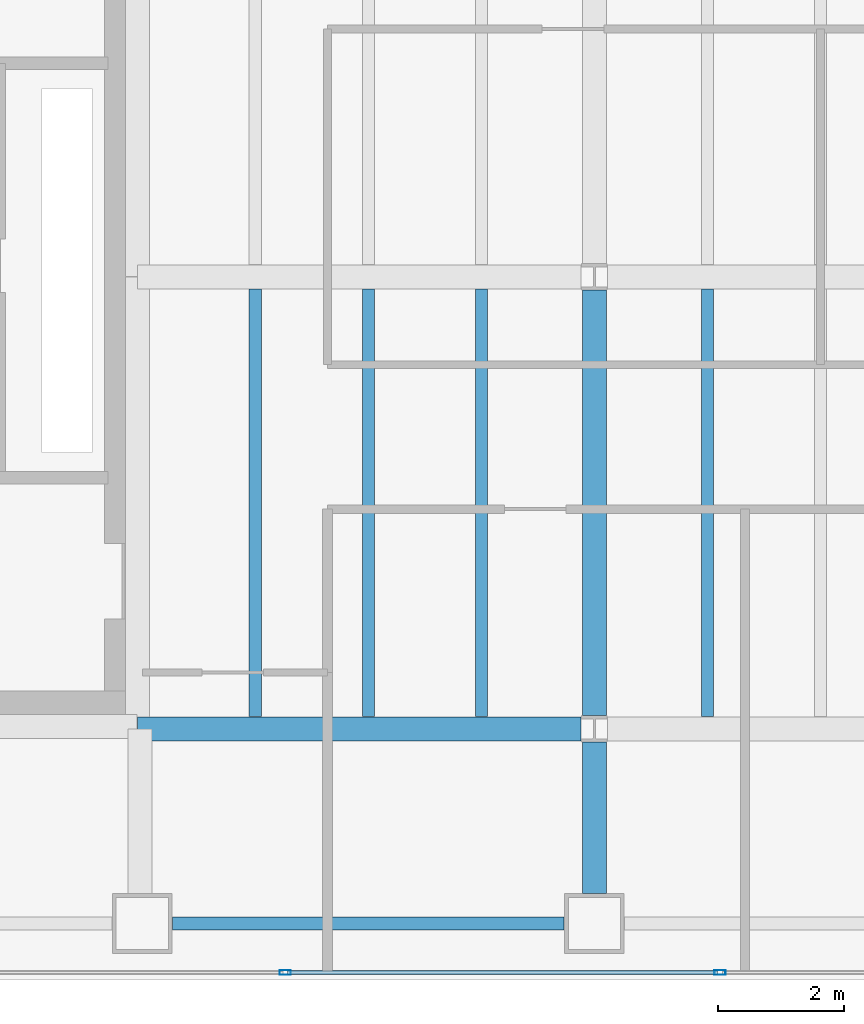
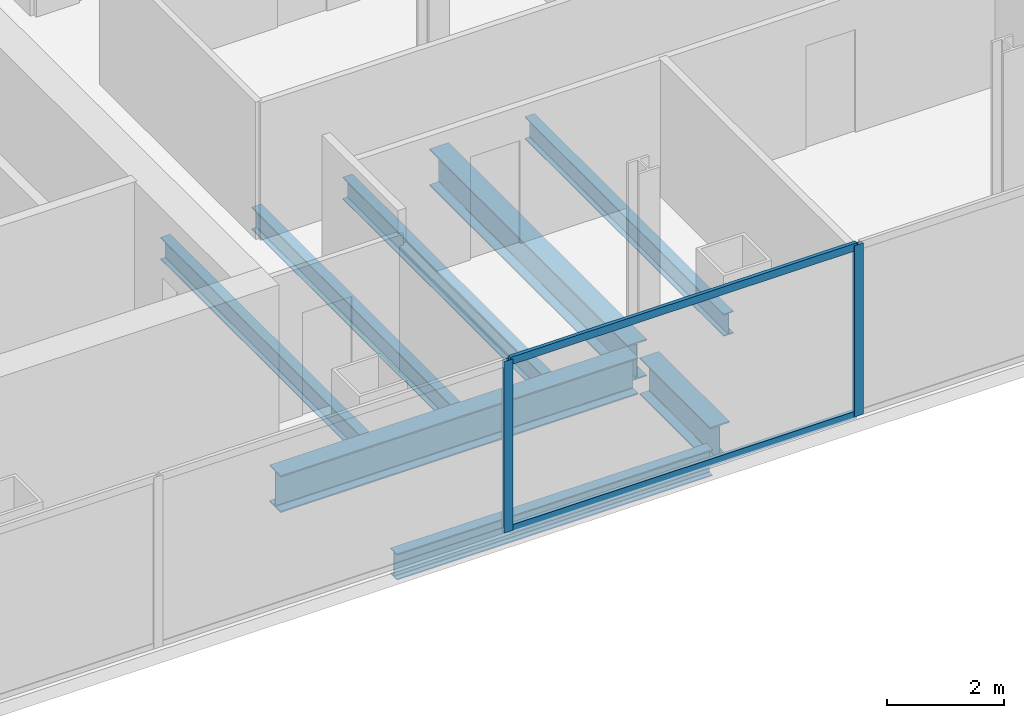
# One storey, part 4 of 23: 8 beams, 4 members, 1 element without a shape of its own.
"""IFC4 building model written with IfcOpenShell, lengths in metres."""

from ifc_helpers import new_model, si_unit, direction, frame, origin, origin_2d, place, context, subcontext, project, spatial, hollow_rectangle, i_section, extrude, material, material_profile, profile_set, type_object, element, aggregate, save


model = new_model("IFC4")

# Units and contexts
model_context = context("Model", 3, precision=1e-05, world=origin(), true_north=direction((0.0, 1.0)))
body_context = subcontext(model_context, "Body", "Model", "MODEL_VIEW")
ifc_project = project(units=[si_unit("LENGTHUNIT", "METRE"), si_unit("AREAUNIT", "SQUARE_METRE"), si_unit("VOLUMEUNIT", "CUBIC_METRE"), si_unit("PLANEANGLEUNIT", "RADIAN"), si_unit("MASSUNIT", "GRAM", prefix="KILO")], contexts=[model_context])

# Site, building, storey
site_placement = place(None, origin())
site = spatial("IfcSite", under=ifc_project, at=site_placement, CompositionType="ELEMENT")
building_placement = place(site_placement, origin())
building = spatial("IfcBuilding", under=site, at=building_placement, Name="Cobrela Telecom Tower", CompositionType="ELEMENT")
storey_placement = place(building_placement, frame((0.0, 0.0, 113.75)))
storey = spatial("IfcBuildingStorey", under=building, at=storey_placement, Name="L28", CompositionType="ELEMENT", Elevation=113.75)

# Beams
ifc_material_1 = material(Name="Steel ASTM A992 Grade 50", Category="steel")
ifc_material_profile_1 = material_profile(ifc_material_1, i_section(OverallWidth=0.381103515625, OverallDepth=0.77197265625, WebThickness=0.0166015625, FlangeThickness=0.027099609375, FilletRadius=0.01904296875, at=origin_2d()), Name="W30X173")
ifc_profile_set_1 = profile_set([ifc_material_profile_1], Name="Steel ASTM A992 Grade 50")
beam_type_1 = type_object("IfcBeamType", Name="BM-GIRD-04", PredefinedType="USERDEFINED", material=ifc_profile_set_1)
beam_1_placement = place(storey_placement, frame((14.324951171875, 7.199951171875, -0.656005859375), z_axis=(1.0, 0.0, 0.0), x_axis=(0.0, 1.0, 0.0)))
element("IfcBeam", 1, at=beam_1_placement, inside=storey, type_object=beam_type_1, Name="L28 Primary Girder X08", ObjectType="GIRDER", PredefinedType="USERDEFINED", context=body_context, shape_type="SweptSolid", body=[
    extrude(i_section(OverallWidth=0.381103515625, OverallDepth=0.77197265625, WebThickness=0.0166015625, FlangeThickness=0.027099609375, FilletRadius=0.01904296875, at=origin_2d()), origin(), (0.0, 0.0, 1.0), 7.0654296875),
])
beam_2_placement = place(storey_placement, frame((21.60009765625, 4.580078125, -0.656005859375), z_axis=(0.0, 1.0, 0.0), x_axis=(-1.0, 0.0, 0.0)))
element("IfcBeam", 2, at=beam_2_placement, inside=storey, type_object=beam_type_1, Name="L28 Primary Girder Y39", ObjectType="GIRDER", PredefinedType="USERDEFINED", context=body_context, shape_type="SweptSolid", body=[
    extrude(i_section(OverallWidth=0.381103515625, OverallDepth=0.77197265625, WebThickness=0.0166015625, FlangeThickness=0.027099609375, FilletRadius=0.01904296875, at=origin_2d()), origin(), (0.0, 0.0, 1.0), 2.410400390625),
])
beam_3_placement = place(storey_placement, frame((21.60009765625, 7.409423828125, -0.656005859375), z_axis=(0.0, 1.0, 0.0), x_axis=(-1.0, 0.0, 0.0)))
element("IfcBeam", 3, at=beam_3_placement, inside=storey, type_object=beam_type_1, Name="L28 Primary Girder Y40", ObjectType="GIRDER", PredefinedType="USERDEFINED", context=body_context, shape_type="SweptSolid", body=[
    extrude(i_section(OverallWidth=0.381103515625, OverallDepth=0.77197265625, WebThickness=0.0166015625, FlangeThickness=0.027099609375, FilletRadius=0.01904296875, at=origin_2d()), origin(), (0.0, 0.0, 1.0), 6.781005859375),
])
ifc_material_profile_2 = material_profile(ifc_material_1, i_section(OverallWidth=0.193115234375, OverallDepth=0.467041015625, WebThickness=0.011474609375, FlangeThickness=0.01904296875, FilletRadius=0.012939453125, at=origin_2d()), Name="W18X65")
ifc_profile_set_2 = profile_set([ifc_material_profile_2], Name="Steel ASTM A992 Grade 50")
beam_type_2 = type_object("IfcBeamType", Name="BM-JOIST-03", PredefinedType="JOIST", material=ifc_profile_set_2)
for number, where, z_axis, x_axis, name in (
    (4, (16.199951171875, 7.3955078125, -0.50341796875), (0.0, 1.0, 0.0), (-1.0, 0.0, 0.0), "L28 Secondary Composite Floor Beam J04"),
    (5, (18.0, 7.3955078125, -0.50341796875), (0.0, 1.0, 0.0), (-1.0, 0.0, 0.0), "L28 Secondary Composite Floor Beam J09"),
    (6, (19.800048828125, 7.3955078125, -0.50341796875), (0.0, 1.0, 0.0), (-1.0, 0.0, 0.0), "L28 Secondary Composite Floor Beam J14"),
    (7, (23.39990234375, 7.3955078125, -0.50341796875), (0.0, 1.0, 0.0), (-1.0, 0.0, 0.0), "L28 Secondary Composite Floor Beam J19"),
):
    element("IfcBeam", number, at=place(storey_placement, frame(where, z_axis=z_axis, x_axis=x_axis)), inside=storey, type_object=beam_type_2, Name=name, PredefinedType="JOIST", context=body_context, shape_type="SweptSolid", body=[
        extrude(i_section(OverallWidth=0.193115234375, OverallDepth=0.467041015625, WebThickness=0.011474609375, FlangeThickness=0.01904296875, FilletRadius=0.012939453125, at=origin_2d()), origin(), (0.0, 0.0, 1.0), 6.80908203125),
    ])
ifc_material_profile_3 = material_profile(ifc_material_1, i_section(OverallWidth=0.212890625, OverallDepth=0.549072265625, WebThickness=0.0146484375, FlangeThickness=0.023681640625, FilletRadius=0.013916015625, at=origin_2d()), Name="W21X93")
ifc_profile_set_3 = profile_set([ifc_material_profile_3], Name="Steel ASTM A992 Grade 50")
beam_type_3 = type_object("IfcBeamType", Name="BM-SPAND-03", PredefinedType="SPANDREL", material=ifc_profile_set_3)
beam_4_placement = place(storey_placement, frame((14.8798828125, 4.10009765625, -0.54443359375), z_axis=(1.0, 0.0, 0.0), x_axis=(0.0, 1.0, 0.0)))
element("IfcBeam", 8, at=beam_4_placement, inside=storey, type_object=beam_type_3, Name="L28 Perimeter Spandrel X02", PredefinedType="SPANDREL", context=body_context, shape_type="SweptSolid", body=[
    extrude(i_section(OverallWidth=0.212890625, OverallDepth=0.549072265625, WebThickness=0.0146484375, FlangeThickness=0.023681640625, FilletRadius=0.013916015625, at=origin_2d()), origin(), (0.0, 0.0, 1.0), 6.240234375),
])

# Curtain wall, members
ifc_material_2 = material(Name="Anodized Bronze Aluminium 6063-T6", Category="aluminium")
curtain_wall_type = type_object("IfcCurtainWallType", Name="CW-SYS-TEL", PredefinedType="USERDEFINED", material=ifc_material_2)
curtain_wall_placement = place(storey_placement, origin())
curtain_wall = element("IfcCurtainWall", 9, at=curtain_wall_placement, inside=storey, type_object=curtain_wall_type, Name="L28 Unitised Bronze Curtain Wall 17", ObjectType="UNITISED CURTAIN WALL", PredefinedType="USERDEFINED")
ifc_material_profile_4 = material_profile(ifc_material_2, hollow_rectangle(XDim=0.074951171875, YDim=0.179931640625, WallThickness=0.00390625, at=origin_2d()), Name="ALU 75x180x4")
ifc_profile_set_4 = profile_set([ifc_material_profile_4], Name="Anodized Bronze Aluminium 6063-T6")
member_type_1 = type_object("IfcMemberType", Name="CW-SYS-TEL-MUL", PredefinedType="MULLION", material=ifc_profile_set_4)
member_1_placement = place(storey_placement, frame((23.60009765625, 3.320068359375, 0.0), z_axis=(0.0, 0.0, 1.0), x_axis=(0.0, -1.0, 0.0)))
member_1 = element("IfcMember", 10, at=member_1_placement, type_object=member_type_1, Name="CW-TEL mullion 4", PredefinedType="MULLION", context=body_context, shape_type="SweptSolid", body=[
    extrude(hollow_rectangle(XDim=0.074951171875, YDim=0.179931640625, WallThickness=0.00390625, at=origin_2d()), origin(), (0.0, 0.0, 1.0), 3.580078125),
])
member_2_placement = place(storey_placement, frame((16.6767578125, 3.320068359375, 0.0), z_axis=(0.0, 0.0, 1.0), x_axis=(0.0, -1.0, 0.0)))
member_2 = element("IfcMember", 11, at=member_2_placement, type_object=member_type_1, Name="CW-TEL mullion 5", PredefinedType="MULLION", context=body_context, shape_type="SweptSolid", body=[
    extrude(hollow_rectangle(XDim=0.074951171875, YDim=0.179931640625, WallThickness=0.00390625, at=origin_2d()), origin(), (0.0, 0.0, 1.0), 3.580078125),
])
ifc_material_profile_5 = material_profile(ifc_material_2, hollow_rectangle(XDim=0.070068359375, YDim=0.159912109375, WallThickness=0.00390625, at=origin_2d()), Name="ALU 70x160x4")
ifc_profile_set_5 = profile_set([ifc_material_profile_5], Name="Anodized Bronze Aluminium 6063-T6")
member_type_2 = type_object("IfcMemberType", Name="CW-SYS-TEL-TRN", PredefinedType="USERDEFINED", material=ifc_profile_set_5)
member_3_placement = place(storey_placement, frame((23.5625, 3.320068359375, 0.034912109375), z_axis=(-1.0, 0.0, 0.0), x_axis=(0.0, -1.0, 0.0)))
member_3 = element("IfcMember", 12, at=member_3_placement, type_object=member_type_2, Name="CW-TEL transom 4.1", ObjectType="TRANSOM", PredefinedType="USERDEFINED", context=body_context, shape_type="SweptSolid", body=[
    extrude(hollow_rectangle(XDim=0.070068359375, YDim=0.159912109375, WallThickness=0.00390625, at=origin_2d()), origin(), (0.0, 0.0, 1.0), 6.848388671875),
])
member_4_placement = place(storey_placement, frame((23.5625, 3.320068359375, 3.544921875), z_axis=(-1.0, 0.0, 0.0), x_axis=(0.0, -1.0, 0.0)))
member_4 = element("IfcMember", 13, at=member_4_placement, type_object=member_type_2, Name="CW-TEL transom 4.2", ObjectType="TRANSOM", PredefinedType="USERDEFINED", context=body_context, shape_type="SweptSolid", body=[
    extrude(hollow_rectangle(XDim=0.070068359375, YDim=0.159912109375, WallThickness=0.00390625, at=origin_2d()), origin(), (0.0, 0.0, 1.0), 6.848388671875),
])
aggregate(curtain_wall, [member_1, member_2, member_3, member_4])

save(model, "model.ifc")
